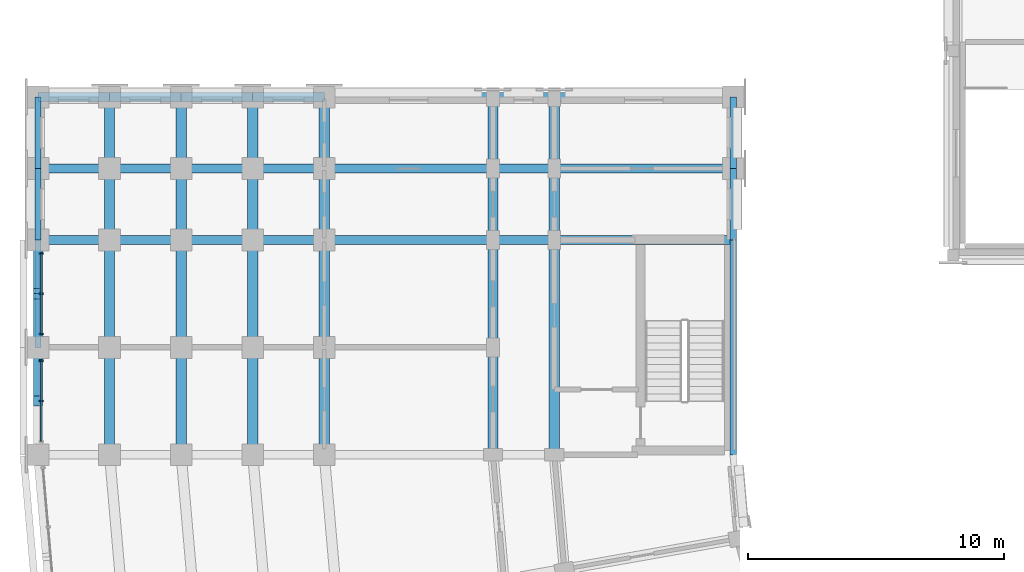
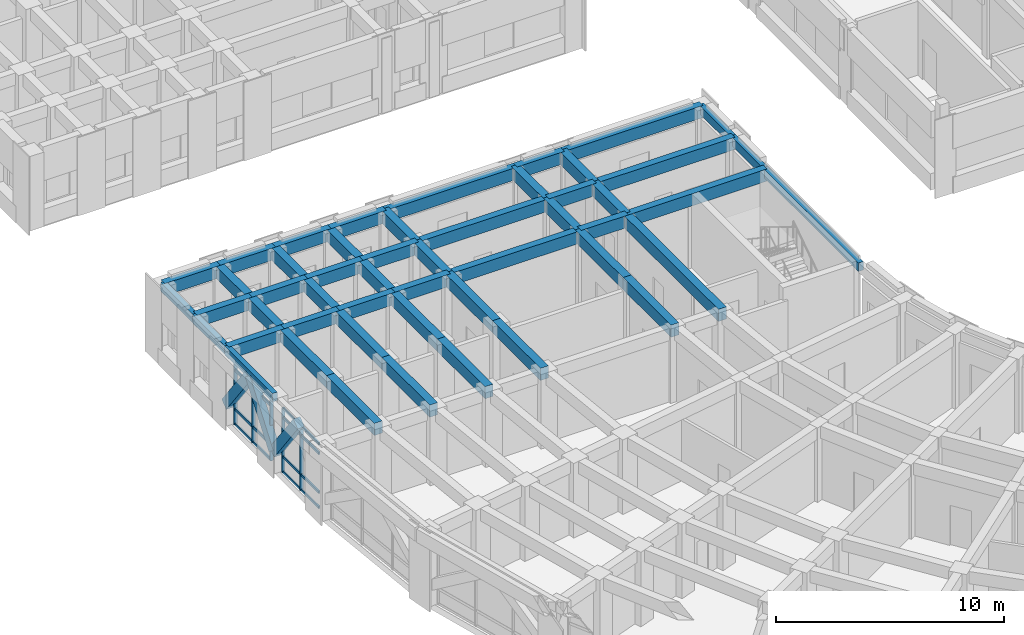
# One storey, part 13 of 97: 53 beams, 13 members, 2 elements without a shape of their own.
"""IFC4 building model written with IfcOpenShell, lengths in metres."""

from ifc_helpers import new_model, si_unit, direction, frame, origin, origin_2d, place, context, subcontext, project, spatial, rectangle, extrude, material, material_profile, profile_set, type_object, element, aggregate, save


model = new_model("IFC4")

# Units and contexts
model_context = context("Model", 3, precision=1e-05, world=origin(), true_north=direction((0.0, 1.0)))
body_context = subcontext(model_context, "Body", "Model", "MODEL_VIEW")
ifc_project = project(units=[si_unit("LENGTHUNIT", "METRE"), si_unit("AREAUNIT", "SQUARE_METRE"), si_unit("VOLUMEUNIT", "CUBIC_METRE"), si_unit("PLANEANGLEUNIT", "RADIAN"), si_unit("MASSUNIT", "GRAM", prefix="KILO")], contexts=[model_context])

# Site, building, storey
site_placement = place(None, origin())
site = spatial("IfcSite", under=ifc_project, at=site_placement, CompositionType="ELEMENT")
building_placement = place(site_placement, origin())
building = spatial("IfcBuilding", under=site, at=building_placement, Name="Kiranvali Square Residences", CompositionType="ELEMENT")
storey_placement = place(building_placement, frame((0.0, 0.0, 4.5)))
storey = spatial("IfcBuildingStorey", under=building, at=storey_placement, Name="L01", CompositionType="ELEMENT", Elevation=4.5)

# Beams
ifc_material_1 = material(Name="Concrete M40 (40 MPa)", Category="concrete")
ifc_material_profile_1 = material_profile(ifc_material_1, rectangle(XDim=0.35009765625, YDim=0.5, at=origin_2d()), Name="RC 350x500")
ifc_profile_set_1 = profile_set([ifc_material_profile_1], Name="Concrete M40 (40 MPa)")
beam_type_1 = type_object("IfcBeamType", Name="AR-M40-350x500", PredefinedType="USERDEFINED", material=ifc_profile_set_1)
for number, where, z_axis, x_axis, name in (
    (1, (2.199951171875, 50.300048828125, 3.64990234375), (0.0, 0.599545163906, -0.800340925129), (-1.0, 0.0, 0.0), "Classical pointed Ottoman arch rib ARCH-C-A2-0.2"),
    (2, (2.199951171875, 52.43994140625, 0.89990234375), (0.0, 0.599545163906, 0.800340925129), (-1.0, 0.0, 0.0), "Classical pointed Ottoman arch rib ARCH-C-A2-1.1"),
    (3, (2.199951171875, 54.5, 3.64990234375), (0.0, 0.599545163906, -0.800340925129), (-1.0, 0.0, 0.0), "Classical pointed Ottoman arch rib ARCH-C-A2-1.2"),
):
    element("IfcBeam", number, at=place(storey_placement, frame(where, z_axis=z_axis, x_axis=x_axis)), inside=storey, type_object=beam_type_1, Name=name, ObjectType="ARCH RIB", PredefinedType="USERDEFINED", context=body_context, shape_type="SweptSolid", body=[
        extrude(rectangle(XDim=0.35009765625, YDim=0.5, at=origin_2d()), origin(), (0.0, 0.0, 1.0), 3.43603515625),
    ])
ifc_material_profile_2 = material_profile(ifc_material_1, rectangle(XDim=0.35009765625, YDim=0.64990234375, at=origin_2d()), Name="RC 350x650")
ifc_profile_set_2 = profile_set([ifc_material_profile_2], Name="Concrete M40 (40 MPa)")
beam_type_2 = type_object("IfcBeamType", Name="BM-M40-350x650", PredefinedType="BEAM", material=ifc_profile_set_2)
beam_1_placement = place(storey_placement, frame((29.39990234375, 56.60009765625, 3.655029296875), z_axis=(-1.0, 0.0, 0.0), x_axis=(0.0, -1.0, 0.0)))
element("IfcBeam", 4, at=beam_1_placement, inside=storey, type_object=beam_type_2, Name="L01 beam BM-C-L01-A2T1-01", PredefinedType="BEAM", context=body_context, shape_type="SweptSolid", body=[
    extrude(rectangle(XDim=0.35009765625, YDim=0.64990234375, at=origin_2d()), origin(), (0.0, 0.0, 1.0), 7.0),
])
beam_2_placement = place(storey_placement, frame((22.39990234375, 56.60009765625, 3.655029296875), z_axis=(-1.0, 0.0, 0.0), x_axis=(0.0, -1.0, 0.0)))
element("IfcBeam", 5, at=beam_2_placement, inside=storey, type_object=beam_type_2, Name="L01 beam BM-C-L01-A2T1-12", PredefinedType="BEAM", context=body_context, shape_type="SweptSolid", body=[
    extrude(rectangle(XDim=0.35009765625, YDim=0.64990234375, at=origin_2d()), origin(), (0.0, 0.0, 1.0), 2.39990234375),
])
beam_3_placement = place(storey_placement, frame((20.0, 56.60009765625, 3.655029296875), z_axis=(-1.0, 0.0, 0.0), x_axis=(0.0, -1.0, 0.0)))
element("IfcBeam", 6, at=beam_3_placement, inside=storey, type_object=beam_type_2, Name="L01 beam BM-C-L01-A2T1-23", PredefinedType="BEAM", context=body_context, shape_type="SweptSolid", body=[
    extrude(rectangle(XDim=0.35009765625, YDim=0.64990234375, at=origin_2d()), origin(), (0.0, 0.0, 1.0), 6.60009765625),
])
beam_4_placement = place(storey_placement, frame((13.39990234375, 56.60009765625, 3.655029296875), z_axis=(-1.0, 0.0, 0.0), x_axis=(0.0, -1.0, 0.0)))
element("IfcBeam", 7, at=beam_4_placement, inside=storey, type_object=beam_type_2, Name="L01 beam BM-C-L01-A2T1-34", PredefinedType="BEAM", context=body_context, shape_type="SweptSolid", body=[
    extrude(rectangle(XDim=0.35009765625, YDim=0.64990234375, at=origin_2d()), origin(), (0.0, 0.0, 1.0), 2.7998046875),
])
for number, where, z_axis, x_axis, name in (
    (8, (10.60009765625, 56.60009765625, 3.655029296875), (-1.0, 0.0, 0.0), (0.0, -1.0, 0.0), "L01 beam BM-C-L01-A2T1-45"),
    (9, (7.800048828125, 56.60009765625, 3.655029296875), (-1.0, 0.0, 0.0), (0.0, -1.0, 0.0), "L01 beam BM-C-L01-A2T1-56"),
    (10, (5.0, 56.60009765625, 3.655029296875), (-1.0, 0.0, 0.0), (0.0, -1.0, 0.0), "L01 beam BM-C-L01-A2T1-67"),
):
    element("IfcBeam", number, at=place(storey_placement, frame(where, z_axis=z_axis, x_axis=x_axis)), inside=storey, type_object=beam_type_2, Name=name, PredefinedType="BEAM", context=body_context, shape_type="SweptSolid", body=[
        extrude(rectangle(XDim=0.35009765625, YDim=0.64990234375, at=origin_2d()), origin(), (0.0, 0.0, 1.0), 2.800048828125),
    ])
beam_5_placement = place(storey_placement, frame((29.39990234375, 59.39990234375, 3.655029296875), z_axis=(-1.0, 0.0, 0.0), x_axis=(0.0, -1.0, 0.0)))
element("IfcBeam", 11, at=beam_5_placement, inside=storey, type_object=beam_type_2, Name="L01 beam BM-C-L01-A2T2-01", PredefinedType="BEAM", context=body_context, shape_type="SweptSolid", body=[
    extrude(rectangle(XDim=0.35009765625, YDim=0.64990234375, at=origin_2d()), origin(), (0.0, 0.0, 1.0), 7.0),
])
beam_6_placement = place(storey_placement, frame((22.39990234375, 59.39990234375, 3.655029296875), z_axis=(-1.0, 0.0, 0.0), x_axis=(0.0, -1.0, 0.0)))
element("IfcBeam", 12, at=beam_6_placement, inside=storey, type_object=beam_type_2, Name="L01 beam BM-C-L01-A2T2-12", PredefinedType="BEAM", context=body_context, shape_type="SweptSolid", body=[
    extrude(rectangle(XDim=0.35009765625, YDim=0.64990234375, at=origin_2d()), origin(), (0.0, 0.0, 1.0), 2.39990234375),
])
beam_7_placement = place(storey_placement, frame((20.0, 59.39990234375, 3.655029296875), z_axis=(-1.0, 0.0, 0.0), x_axis=(0.0, -1.0, 0.0)))
element("IfcBeam", 13, at=beam_7_placement, inside=storey, type_object=beam_type_2, Name="L01 beam BM-C-L01-A2T2-23", PredefinedType="BEAM", context=body_context, shape_type="SweptSolid", body=[
    extrude(rectangle(XDim=0.35009765625, YDim=0.64990234375, at=origin_2d()), origin(), (0.0, 0.0, 1.0), 6.60009765625),
])
beam_8_placement = place(storey_placement, frame((13.39990234375, 59.39990234375, 3.655029296875), z_axis=(-1.0, 0.0, 0.0), x_axis=(0.0, -1.0, 0.0)))
element("IfcBeam", 14, at=beam_8_placement, inside=storey, type_object=beam_type_2, Name="L01 beam BM-C-L01-A2T2-34", PredefinedType="BEAM", context=body_context, shape_type="SweptSolid", body=[
    extrude(rectangle(XDim=0.35009765625, YDim=0.64990234375, at=origin_2d()), origin(), (0.0, 0.0, 1.0), 2.7998046875),
])
for number, where, z_axis, x_axis, name in (
    (15, (10.60009765625, 59.39990234375, 3.655029296875), (-1.0, 0.0, 0.0), (0.0, -1.0, 0.0), "L01 beam BM-C-L01-A2T2-45"),
    (16, (7.800048828125, 59.39990234375, 3.655029296875), (-1.0, 0.0, 0.0), (0.0, -1.0, 0.0), "L01 beam BM-C-L01-A2T2-56"),
    (17, (5.0, 59.39990234375, 3.655029296875), (-1.0, 0.0, 0.0), (0.0, -1.0, 0.0), "L01 beam BM-C-L01-A2T2-67"),
):
    element("IfcBeam", number, at=place(storey_placement, frame(where, z_axis=z_axis, x_axis=x_axis)), inside=storey, type_object=beam_type_2, Name=name, PredefinedType="BEAM", context=body_context, shape_type="SweptSolid", body=[
        extrude(rectangle(XDim=0.35009765625, YDim=0.64990234375, at=origin_2d()), origin(), (0.0, 0.0, 1.0), 2.800048828125),
    ])
beam_9_placement = place(storey_placement, frame((29.39990234375, 62.199951171875, 3.655029296875), z_axis=(-1.0, 0.0, 0.0), x_axis=(0.0, -1.0, 0.0)))
element("IfcBeam", 18, at=beam_9_placement, inside=storey, type_object=beam_type_2, Name="L01 beam BM-C-L01-A2T3-01", PredefinedType="BEAM", context=body_context, shape_type="SweptSolid", body=[
    extrude(rectangle(XDim=0.35009765625, YDim=0.64990234375, at=origin_2d()), origin(), (0.0, 0.0, 1.0), 7.0),
])
beam_10_placement = place(storey_placement, frame((22.39990234375, 62.199951171875, 3.655029296875), z_axis=(-1.0, 0.0, 0.0), x_axis=(0.0, -1.0, 0.0)))
element("IfcBeam", 19, at=beam_10_placement, inside=storey, type_object=beam_type_2, Name="L01 beam BM-C-L01-A2T3-12", PredefinedType="BEAM", context=body_context, shape_type="SweptSolid", body=[
    extrude(rectangle(XDim=0.35009765625, YDim=0.64990234375, at=origin_2d()), origin(), (0.0, 0.0, 1.0), 2.39990234375),
])
beam_11_placement = place(storey_placement, frame((20.0, 62.199951171875, 3.655029296875), z_axis=(-1.0, 0.0, 0.0), x_axis=(0.0, -1.0, 0.0)))
element("IfcBeam", 20, at=beam_11_placement, inside=storey, type_object=beam_type_2, Name="L01 beam BM-C-L01-A2T3-23", PredefinedType="BEAM", context=body_context, shape_type="SweptSolid", body=[
    extrude(rectangle(XDim=0.35009765625, YDim=0.64990234375, at=origin_2d()), origin(), (0.0, 0.0, 1.0), 6.60009765625),
])
beam_12_placement = place(storey_placement, frame((13.39990234375, 62.199951171875, 3.655029296875), z_axis=(-1.0, 0.0, 0.0), x_axis=(0.0, -1.0, 0.0)))
element("IfcBeam", 21, at=beam_12_placement, inside=storey, type_object=beam_type_2, Name="L01 beam BM-C-L01-A2T3-34", PredefinedType="BEAM", context=body_context, shape_type="SweptSolid", body=[
    extrude(rectangle(XDim=0.35009765625, YDim=0.64990234375, at=origin_2d()), origin(), (0.0, 0.0, 1.0), 2.7998046875),
])
for number, where, z_axis, x_axis, name in (
    (22, (10.60009765625, 62.199951171875, 3.655029296875), (-1.0, 0.0, 0.0), (0.0, -1.0, 0.0), "L01 beam BM-C-L01-A2T3-45"),
    (23, (7.800048828125, 62.199951171875, 3.655029296875), (-1.0, 0.0, 0.0), (0.0, -1.0, 0.0), "L01 beam BM-C-L01-A2T3-56"),
    (24, (5.0, 62.199951171875, 3.655029296875), (-1.0, 0.0, 0.0), (0.0, -1.0, 0.0), "L01 beam BM-C-L01-A2T3-67"),
):
    element("IfcBeam", number, at=place(storey_placement, frame(where, z_axis=z_axis, x_axis=x_axis)), inside=storey, type_object=beam_type_2, Name=name, PredefinedType="BEAM", context=body_context, shape_type="SweptSolid", body=[
        extrude(rectangle(XDim=0.35009765625, YDim=0.64990234375, at=origin_2d()), origin(), (0.0, 0.0, 1.0), 2.800048828125),
    ])
ifc_material_2 = material(Name="Concrete M45 (45 MPa)", Category="concrete")
ifc_material_profile_3 = material_profile(ifc_material_2, rectangle(XDim=0.39990234375, YDim=0.64990234375, at=origin_2d()), Name="RC 400x650")
ifc_profile_set_3 = profile_set([ifc_material_profile_3], Name="Concrete M45 (45 MPa)")
beam_type_3 = type_object("IfcBeamType", Name="BM-M45-400x650", PredefinedType="BEAM", material=ifc_profile_set_3)
beam_13_placement = place(storey_placement, frame((22.39990234375, 48.199951171875, 3.655029296875), z_axis=(0.0, 1.0, 0.0), x_axis=(-1.0, 0.0, 0.0)))
element("IfcBeam", 25, at=beam_13_placement, inside=storey, type_object=beam_type_3, Name="L01 beam BM-C-L01-A2V0-R1", PredefinedType="BEAM", context=body_context, shape_type="SweptSolid", body=[
    extrude(rectangle(XDim=0.39990234375, YDim=0.64990234375, at=origin_2d()), origin(), (0.0, 0.0, 1.0), 8.400146484375),
])
beam_14_placement = place(storey_placement, frame((22.39990234375, 56.60009765625, 3.655029296875), z_axis=(0.0, 1.0, 0.0), x_axis=(-1.0, 0.0, 0.0)))
element("IfcBeam", 26, at=beam_14_placement, inside=storey, type_object=beam_type_3, Name="L01 beam BM-C-L01-A2V1-R1", PredefinedType="BEAM", context=body_context, shape_type="SweptSolid", body=[
    extrude(rectangle(XDim=0.39990234375, YDim=0.64990234375, at=origin_2d()), origin(), (0.0, 0.0, 1.0), 2.7998046875),
])
beam_15_placement = place(storey_placement, frame((22.39990234375, 59.39990234375, 3.655029296875), z_axis=(0.0, 1.0, 0.0), x_axis=(-1.0, 0.0, 0.0)))
element("IfcBeam", 27, at=beam_15_placement, inside=storey, type_object=beam_type_3, Name="L01 beam BM-C-L01-A2V2-R1", PredefinedType="BEAM", context=body_context, shape_type="SweptSolid", body=[
    extrude(rectangle(XDim=0.39990234375, YDim=0.64990234375, at=origin_2d()), origin(), (0.0, 0.0, 1.0), 2.800048828125),
])
beam_16_placement = place(storey_placement, frame((20.0, 48.199951171875, 3.655029296875), z_axis=(0.0, 1.0, 0.0), x_axis=(-1.0, 0.0, 0.0)))
element("IfcBeam", 28, at=beam_16_placement, inside=storey, type_object=beam_type_3, Name="L01 beam BM-C-L01-A2V0-R2", PredefinedType="BEAM", context=body_context, shape_type="SweptSolid", body=[
    extrude(rectangle(XDim=0.39990234375, YDim=0.64990234375, at=origin_2d()), origin(), (0.0, 0.0, 1.0), 4.199951171875),
])
beam_17_placement = place(storey_placement, frame((20.0, 52.39990234375, 3.655029296875), z_axis=(0.0, 1.0, 0.0), x_axis=(-1.0, 0.0, 0.0)))
element("IfcBeam", 29, at=beam_17_placement, inside=storey, type_object=beam_type_3, Name="L01 beam BM-C-L01-A2V1-R2", PredefinedType="BEAM", context=body_context, shape_type="SweptSolid", body=[
    extrude(rectangle(XDim=0.39990234375, YDim=0.64990234375, at=origin_2d()), origin(), (0.0, 0.0, 1.0), 4.2001953125),
])
beam_18_placement = place(storey_placement, frame((20.0, 56.60009765625, 3.655029296875), z_axis=(0.0, 1.0, 0.0), x_axis=(-1.0, 0.0, 0.0)))
element("IfcBeam", 30, at=beam_18_placement, inside=storey, type_object=beam_type_3, Name="L01 beam BM-C-L01-A2V2-R2", PredefinedType="BEAM", context=body_context, shape_type="SweptSolid", body=[
    extrude(rectangle(XDim=0.39990234375, YDim=0.64990234375, at=origin_2d()), origin(), (0.0, 0.0, 1.0), 2.7998046875),
])
beam_19_placement = place(storey_placement, frame((20.0, 59.39990234375, 3.655029296875), z_axis=(0.0, 1.0, 0.0), x_axis=(-1.0, 0.0, 0.0)))
element("IfcBeam", 31, at=beam_19_placement, inside=storey, type_object=beam_type_3, Name="L01 beam BM-C-L01-A2V3-R2", PredefinedType="BEAM", context=body_context, shape_type="SweptSolid", body=[
    extrude(rectangle(XDim=0.39990234375, YDim=0.64990234375, at=origin_2d()), origin(), (0.0, 0.0, 1.0), 2.800048828125),
])
beam_20_placement = place(storey_placement, frame((13.39990234375, 48.199951171875, 3.655029296875), z_axis=(0.0, 1.0, 0.0), x_axis=(-1.0, 0.0, 0.0)))
element("IfcBeam", 32, at=beam_20_placement, inside=storey, type_object=beam_type_3, Name="L01 beam BM-C-L01-A2V0-R3", PredefinedType="BEAM", context=body_context, shape_type="SweptSolid", body=[
    extrude(rectangle(XDim=0.39990234375, YDim=0.64990234375, at=origin_2d()), origin(), (0.0, 0.0, 1.0), 4.199951171875),
])
beam_21_placement = place(storey_placement, frame((13.39990234375, 52.39990234375, 3.655029296875), z_axis=(0.0, 1.0, 0.0), x_axis=(-1.0, 0.0, 0.0)))
element("IfcBeam", 33, at=beam_21_placement, inside=storey, type_object=beam_type_3, Name="L01 beam BM-C-L01-A2V1-R3", PredefinedType="BEAM", context=body_context, shape_type="SweptSolid", body=[
    extrude(rectangle(XDim=0.39990234375, YDim=0.64990234375, at=origin_2d()), origin(), (0.0, 0.0, 1.0), 4.2001953125),
])
beam_22_placement = place(storey_placement, frame((13.39990234375, 56.60009765625, 3.655029296875), z_axis=(0.0, 1.0, 0.0), x_axis=(-1.0, 0.0, 0.0)))
element("IfcBeam", 34, at=beam_22_placement, inside=storey, type_object=beam_type_3, Name="L01 beam BM-C-L01-A2V2-R3", PredefinedType="BEAM", context=body_context, shape_type="SweptSolid", body=[
    extrude(rectangle(XDim=0.39990234375, YDim=0.64990234375, at=origin_2d()), origin(), (0.0, 0.0, 1.0), 2.7998046875),
])
beam_23_placement = place(storey_placement, frame((13.39990234375, 59.39990234375, 3.655029296875), z_axis=(0.0, 1.0, 0.0), x_axis=(-1.0, 0.0, 0.0)))
element("IfcBeam", 35, at=beam_23_placement, inside=storey, type_object=beam_type_3, Name="L01 beam BM-C-L01-A2V3-R3", PredefinedType="BEAM", context=body_context, shape_type="SweptSolid", body=[
    extrude(rectangle(XDim=0.39990234375, YDim=0.64990234375, at=origin_2d()), origin(), (0.0, 0.0, 1.0), 2.800048828125),
])
beam_24_placement = place(storey_placement, frame((10.60009765625, 48.199951171875, 3.655029296875), z_axis=(0.0, 1.0, 0.0), x_axis=(-1.0, 0.0, 0.0)))
element("IfcBeam", 36, at=beam_24_placement, inside=storey, type_object=beam_type_3, Name="L01 beam BM-C-L01-A2V0-R4", PredefinedType="BEAM", context=body_context, shape_type="SweptSolid", body=[
    extrude(rectangle(XDim=0.39990234375, YDim=0.64990234375, at=origin_2d()), origin(), (0.0, 0.0, 1.0), 4.199951171875),
])
beam_25_placement = place(storey_placement, frame((10.60009765625, 52.39990234375, 3.655029296875), z_axis=(0.0, 1.0, 0.0), x_axis=(-1.0, 0.0, 0.0)))
element("IfcBeam", 37, at=beam_25_placement, inside=storey, type_object=beam_type_3, Name="L01 beam BM-C-L01-A2V1-R4", PredefinedType="BEAM", context=body_context, shape_type="SweptSolid", body=[
    extrude(rectangle(XDim=0.39990234375, YDim=0.64990234375, at=origin_2d()), origin(), (0.0, 0.0, 1.0), 4.2001953125),
])
beam_26_placement = place(storey_placement, frame((10.60009765625, 56.60009765625, 3.655029296875), z_axis=(0.0, 1.0, 0.0), x_axis=(-1.0, 0.0, 0.0)))
element("IfcBeam", 38, at=beam_26_placement, inside=storey, type_object=beam_type_3, Name="L01 beam BM-C-L01-A2V2-R4", PredefinedType="BEAM", context=body_context, shape_type="SweptSolid", body=[
    extrude(rectangle(XDim=0.39990234375, YDim=0.64990234375, at=origin_2d()), origin(), (0.0, 0.0, 1.0), 2.7998046875),
])
beam_27_placement = place(storey_placement, frame((10.60009765625, 59.39990234375, 3.655029296875), z_axis=(0.0, 1.0, 0.0), x_axis=(-1.0, 0.0, 0.0)))
element("IfcBeam", 39, at=beam_27_placement, inside=storey, type_object=beam_type_3, Name="L01 beam BM-C-L01-A2V3-R4", PredefinedType="BEAM", context=body_context, shape_type="SweptSolid", body=[
    extrude(rectangle(XDim=0.39990234375, YDim=0.64990234375, at=origin_2d()), origin(), (0.0, 0.0, 1.0), 2.800048828125),
])
beam_28_placement = place(storey_placement, frame((7.800048828125, 48.199951171875, 3.655029296875), z_axis=(0.0, 1.0, 0.0), x_axis=(-1.0, 0.0, 0.0)))
element("IfcBeam", 40, at=beam_28_placement, inside=storey, type_object=beam_type_3, Name="L01 beam BM-C-L01-A2V0-R5", PredefinedType="BEAM", context=body_context, shape_type="SweptSolid", body=[
    extrude(rectangle(XDim=0.39990234375, YDim=0.64990234375, at=origin_2d()), origin(), (0.0, 0.0, 1.0), 4.199951171875),
])
beam_29_placement = place(storey_placement, frame((7.800048828125, 52.39990234375, 3.655029296875), z_axis=(0.0, 1.0, 0.0), x_axis=(-1.0, 0.0, 0.0)))
element("IfcBeam", 41, at=beam_29_placement, inside=storey, type_object=beam_type_3, Name="L01 beam BM-C-L01-A2V1-R5", PredefinedType="BEAM", context=body_context, shape_type="SweptSolid", body=[
    extrude(rectangle(XDim=0.39990234375, YDim=0.64990234375, at=origin_2d()), origin(), (0.0, 0.0, 1.0), 4.2001953125),
])
beam_30_placement = place(storey_placement, frame((7.800048828125, 56.60009765625, 3.655029296875), z_axis=(0.0, 1.0, 0.0), x_axis=(-1.0, 0.0, 0.0)))
element("IfcBeam", 42, at=beam_30_placement, inside=storey, type_object=beam_type_3, Name="L01 beam BM-C-L01-A2V2-R5", PredefinedType="BEAM", context=body_context, shape_type="SweptSolid", body=[
    extrude(rectangle(XDim=0.39990234375, YDim=0.64990234375, at=origin_2d()), origin(), (0.0, 0.0, 1.0), 2.7998046875),
])
beam_31_placement = place(storey_placement, frame((7.800048828125, 59.39990234375, 3.655029296875), z_axis=(0.0, 1.0, 0.0), x_axis=(-1.0, 0.0, 0.0)))
element("IfcBeam", 43, at=beam_31_placement, inside=storey, type_object=beam_type_3, Name="L01 beam BM-C-L01-A2V3-R5", PredefinedType="BEAM", context=body_context, shape_type="SweptSolid", body=[
    extrude(rectangle(XDim=0.39990234375, YDim=0.64990234375, at=origin_2d()), origin(), (0.0, 0.0, 1.0), 2.800048828125),
])
beam_32_placement = place(storey_placement, frame((5.0, 48.199951171875, 3.655029296875), z_axis=(0.0, 1.0, 0.0), x_axis=(-1.0, 0.0, 0.0)))
element("IfcBeam", 44, at=beam_32_placement, inside=storey, type_object=beam_type_3, Name="L01 beam BM-C-L01-A2V0-R6", PredefinedType="BEAM", context=body_context, shape_type="SweptSolid", body=[
    extrude(rectangle(XDim=0.39990234375, YDim=0.64990234375, at=origin_2d()), origin(), (0.0, 0.0, 1.0), 4.199951171875),
])
beam_33_placement = place(storey_placement, frame((5.0, 52.39990234375, 3.655029296875), z_axis=(0.0, 1.0, 0.0), x_axis=(-1.0, 0.0, 0.0)))
element("IfcBeam", 45, at=beam_33_placement, inside=storey, type_object=beam_type_3, Name="L01 beam BM-C-L01-A2V1-R6", PredefinedType="BEAM", context=body_context, shape_type="SweptSolid", body=[
    extrude(rectangle(XDim=0.39990234375, YDim=0.64990234375, at=origin_2d()), origin(), (0.0, 0.0, 1.0), 4.2001953125),
])
beam_34_placement = place(storey_placement, frame((5.0, 56.60009765625, 3.655029296875), z_axis=(0.0, 1.0, 0.0), x_axis=(-1.0, 0.0, 0.0)))
element("IfcBeam", 46, at=beam_34_placement, inside=storey, type_object=beam_type_3, Name="L01 beam BM-C-L01-A2V2-R6", PredefinedType="BEAM", context=body_context, shape_type="SweptSolid", body=[
    extrude(rectangle(XDim=0.39990234375, YDim=0.64990234375, at=origin_2d()), origin(), (0.0, 0.0, 1.0), 2.7998046875),
])
beam_35_placement = place(storey_placement, frame((5.0, 59.39990234375, 3.655029296875), z_axis=(0.0, 1.0, 0.0), x_axis=(-1.0, 0.0, 0.0)))
element("IfcBeam", 47, at=beam_35_placement, inside=storey, type_object=beam_type_3, Name="L01 beam BM-C-L01-A2V3-R6", PredefinedType="BEAM", context=body_context, shape_type="SweptSolid", body=[
    extrude(rectangle(XDim=0.39990234375, YDim=0.64990234375, at=origin_2d()), origin(), (0.0, 0.0, 1.0), 2.800048828125),
])

# Curtain wall, members
ifc_material_3 = material(Name="Anodised bronze aluminium framing", Category="aluminium")
curtain_wall_type = type_object("IfcCurtainWallType", Name="CW-RET-SHOP", PredefinedType="USERDEFINED", material=ifc_material_3)
curtain_wall_1_placement = place(storey_placement, origin())
curtain_wall_1 = element("IfcCurtainWall", 48, at=curtain_wall_1_placement, inside=storey, type_object=curtain_wall_type, Name="L01 curtain wall CW-C-L01-A2-0", ObjectType="CURTAIN WALL", PredefinedType="USERDEFINED")
ifc_material_profile_4 = material_profile(ifc_material_3, rectangle(XDim=0.06494140625, YDim=0.159912109375, at=origin_2d()), Name="ALU 65x160")
ifc_profile_set_4 = profile_set([ifc_material_profile_4], Name="Anodised bronze aluminium framing")
member_type_1 = type_object("IfcMemberType", Name="CW-MUL-160", PredefinedType="MULLION", material=ifc_profile_set_4)
member_1_placement = place(storey_placement, frame((2.320068359375, 50.300048828125, 0.02001953125), z_axis=(0.0, 0.0, 1.0), x_axis=(0.0, 1.0, 0.0)))
member_1 = element("IfcMember", 49, at=member_1_placement, type_object=member_type_1, Name="CW-C-L01-A2-0 vertical mullion 2", PredefinedType="MULLION", context=body_context, shape_type="SweptSolid", body=[
    extrude(rectangle(XDim=0.06494140625, YDim=0.159912109375, at=origin_2d()), origin(), (0.0, 0.0, 1.0), 3.43994140625),
])
member_2_placement = place(storey_placement, frame((2.320068359375, 51.8798828125, 0.02001953125), z_axis=(0.0, 0.0, 1.0), x_axis=(0.0, 1.0, 0.0)))
member_2 = element("IfcMember", 50, at=member_2_placement, type_object=member_type_1, Name="CW-C-L01-A2-0 vertical mullion 3", PredefinedType="MULLION", context=body_context, shape_type="SweptSolid", body=[
    extrude(rectangle(XDim=0.06494140625, YDim=0.159912109375, at=origin_2d()), origin(), (0.0, 0.0, 1.0), 3.43994140625),
])

curtain_wall_2_placement = place(storey_placement, origin())
curtain_wall_2 = element("IfcCurtainWall", 51, at=curtain_wall_2_placement, inside=storey, type_object=curtain_wall_type, Name="L01 curtain wall CW-C-L01-A2-1", ObjectType="CURTAIN WALL", PredefinedType="USERDEFINED")
member_3_placement = place(storey_placement, frame((2.320068359375, 52.919921875, 0.02001953125), z_axis=(0.0, 0.0, 1.0), x_axis=(0.0, 1.0, 0.0)))
member_3 = element("IfcMember", 52, at=member_3_placement, type_object=member_type_1, Name="CW-C-L01-A2-1 vertical mullion 1", PredefinedType="MULLION", context=body_context, shape_type="SweptSolid", body=[
    extrude(rectangle(XDim=0.06494140625, YDim=0.159912109375, at=origin_2d()), origin(), (0.0, 0.0, 1.0), 3.43994140625),
])
member_4_placement = place(storey_placement, frame((2.320068359375, 54.5, 0.02001953125), z_axis=(0.0, 0.0, 1.0), x_axis=(0.0, 1.0, 0.0)))
member_4 = element("IfcMember", 53, at=member_4_placement, type_object=member_type_1, Name="CW-C-L01-A2-1 vertical mullion 2", PredefinedType="MULLION", context=body_context, shape_type="SweptSolid", body=[
    extrude(rectangle(XDim=0.06494140625, YDim=0.159912109375, at=origin_2d()), origin(), (0.0, 0.0, 1.0), 3.43994140625),
])
member_5_placement = place(storey_placement, frame((2.320068359375, 56.080078125, 0.02001953125), z_axis=(0.0, 0.0, 1.0), x_axis=(0.0, 1.0, 0.0)))
member_5 = element("IfcMember", 54, at=member_5_placement, type_object=member_type_1, Name="CW-C-L01-A2-1 vertical mullion 3", PredefinedType="MULLION", context=body_context, shape_type="SweptSolid", body=[
    extrude(rectangle(XDim=0.06494140625, YDim=0.159912109375, at=origin_2d()), origin(), (0.0, 0.0, 1.0), 3.43994140625),
])

# Member
ifc_material_profile_5 = material_profile(ifc_material_3, rectangle(XDim=0.06494140625, YDim=0.139892578125, at=origin_2d()), Name="ALU 65x140")
ifc_profile_set_5 = profile_set([ifc_material_profile_5], Name="Anodised bronze aluminium framing")
member_type_2 = type_object("IfcMemberType", Name="CW-TRN-140", PredefinedType="MULLION", material=ifc_profile_set_5)
member_6_placement = place(storey_placement, frame((2.320068359375, 48.72998046875, 0.0400390625), z_axis=(0.0, 1.0, 0.0), x_axis=(-1.0, 0.0, 0.0)))
member_6 = element("IfcMember", 55, at=member_6_placement, type_object=member_type_2, Name="CW-C-L01-A2-0 horizontal transom 1", PredefinedType="MULLION", context=body_context, shape_type="SweptSolid", body=[
    extrude(rectangle(XDim=0.06494140625, YDim=0.139892578125, at=origin_2d()), origin(), (0.0, 0.0, 1.0), 3.14013671875),
])

member_7_placement = place(storey_placement, frame((2.320068359375, 48.72998046875, 0.85009765625), z_axis=(0.0, 1.0, 0.0), x_axis=(-1.0, 0.0, 0.0)))
member_7 = element("IfcMember", 56, at=member_7_placement, type_object=member_type_2, Name="CW-C-L01-A2-0 horizontal transom 2", PredefinedType="MULLION", context=body_context, shape_type="SweptSolid", body=[
    extrude(rectangle(XDim=0.06494140625, YDim=0.139892578125, at=origin_2d()), origin(), (0.0, 0.0, 1.0), 3.14013671875),
])

member_8_placement = place(storey_placement, frame((2.320068359375, 48.72998046875, 2.929931640625), z_axis=(0.0, 1.0, 0.0), x_axis=(-1.0, 0.0, 0.0)))
member_8 = element("IfcMember", 57, at=member_8_placement, type_object=member_type_2, Name="CW-C-L01-A2-0 horizontal transom 3", PredefinedType="MULLION", context=body_context, shape_type="SweptSolid", body=[
    extrude(rectangle(XDim=0.06494140625, YDim=0.139892578125, at=origin_2d()), origin(), (0.0, 0.0, 1.0), 3.14013671875),
])

member_9_placement = place(storey_placement, frame((2.320068359375, 48.72998046875, 3.43994140625), z_axis=(0.0, 1.0, 0.0), x_axis=(-1.0, 0.0, 0.0)))
member_9 = element("IfcMember", 58, at=member_9_placement, type_object=member_type_2, Name="CW-C-L01-A2-0 horizontal transom 4", PredefinedType="MULLION", context=body_context, shape_type="SweptSolid", body=[
    extrude(rectangle(XDim=0.06494140625, YDim=0.139892578125, at=origin_2d()), origin(), (0.0, 0.0, 1.0), 3.14013671875),
])

aggregate(curtain_wall_1, [member_1, member_2, member_6, member_7, member_8, member_9])

member_10_placement = place(storey_placement, frame((2.320068359375, 52.929931640625, 0.0400390625), z_axis=(0.0, 1.0, 0.0), x_axis=(-1.0, 0.0, 0.0)))
member_10 = element("IfcMember", 59, at=member_10_placement, type_object=member_type_2, Name="CW-C-L01-A2-1 horizontal transom 1", PredefinedType="MULLION", context=body_context, shape_type="SweptSolid", body=[
    extrude(rectangle(XDim=0.06494140625, YDim=0.139892578125, at=origin_2d()), origin(), (0.0, 0.0, 1.0), 3.14013671875),
])

member_11_placement = place(storey_placement, frame((2.320068359375, 52.929931640625, 0.85009765625), z_axis=(0.0, 1.0, 0.0), x_axis=(-1.0, 0.0, 0.0)))
member_11 = element("IfcMember", 60, at=member_11_placement, type_object=member_type_2, Name="CW-C-L01-A2-1 horizontal transom 2", PredefinedType="MULLION", context=body_context, shape_type="SweptSolid", body=[
    extrude(rectangle(XDim=0.06494140625, YDim=0.139892578125, at=origin_2d()), origin(), (0.0, 0.0, 1.0), 3.14013671875),
])

member_12_placement = place(storey_placement, frame((2.320068359375, 52.929931640625, 2.929931640625), z_axis=(0.0, 1.0, 0.0), x_axis=(-1.0, 0.0, 0.0)))
member_12 = element("IfcMember", 61, at=member_12_placement, type_object=member_type_2, Name="CW-C-L01-A2-1 horizontal transom 3", PredefinedType="MULLION", context=body_context, shape_type="SweptSolid", body=[
    extrude(rectangle(XDim=0.06494140625, YDim=0.139892578125, at=origin_2d()), origin(), (0.0, 0.0, 1.0), 3.14013671875),
])

member_13_placement = place(storey_placement, frame((2.320068359375, 52.929931640625, 3.43994140625), z_axis=(0.0, 1.0, 0.0), x_axis=(-1.0, 0.0, 0.0)))
member_13 = element("IfcMember", 62, at=member_13_placement, type_object=member_type_2, Name="CW-C-L01-A2-1 horizontal transom 4", PredefinedType="MULLION", context=body_context, shape_type="SweptSolid", body=[
    extrude(rectangle(XDim=0.06494140625, YDim=0.139892578125, at=origin_2d()), origin(), (0.0, 0.0, 1.0), 3.14013671875),
])

aggregate(curtain_wall_2, [member_3, member_4, member_5, member_10, member_11, member_12, member_13])

# Beams
ifc_material_profile_6 = material_profile(ifc_material_1, rectangle(XDim=0.25, YDim=0.449951171875, at=origin_2d()), Name="RC 250x450")
ifc_profile_set_6 = profile_set([ifc_material_profile_6], Name="Concrete M40 (40 MPa)")
beam_type_4 = type_object("IfcBeamType", Name="SPN-M40-250x450", PredefinedType="SPANDREL", material=ifc_profile_set_6)
beam_36_placement = place(storey_placement, frame((29.39990234375, 48.199951171875, 3.7548828125), z_axis=(0.0, 1.0, 0.0), x_axis=(-1.0, 0.0, 0.0)))
element("IfcBeam", 63, at=beam_36_placement, inside=storey, type_object=beam_type_4, Name="L01 beam BM-C-L01-A2V0-R0", PredefinedType="SPANDREL", context=body_context, shape_type="SweptSolid", body=[
    extrude(rectangle(XDim=0.25, YDim=0.449951171875, at=origin_2d()), origin(), (0.0, 0.0, 1.0), 8.400146484375),
])
beam_37_placement = place(storey_placement, frame((29.39990234375, 56.60009765625, 3.7548828125), z_axis=(0.0, 1.0, 0.0), x_axis=(-1.0, 0.0, 0.0)))
element("IfcBeam", 64, at=beam_37_placement, inside=storey, type_object=beam_type_4, Name="L01 beam BM-C-L01-A2V1-R0", PredefinedType="SPANDREL", context=body_context, shape_type="SweptSolid", body=[
    extrude(rectangle(XDim=0.25, YDim=0.449951171875, at=origin_2d()), origin(), (0.0, 0.0, 1.0), 2.7998046875),
])
beam_38_placement = place(storey_placement, frame((29.39990234375, 59.39990234375, 3.7548828125), z_axis=(0.0, 1.0, 0.0), x_axis=(-1.0, 0.0, 0.0)))
element("IfcBeam", 65, at=beam_38_placement, inside=storey, type_object=beam_type_4, Name="L01 beam BM-C-L01-A2V2-R0", PredefinedType="SPANDREL", context=body_context, shape_type="SweptSolid", body=[
    extrude(rectangle(XDim=0.25, YDim=0.449951171875, at=origin_2d()), origin(), (0.0, 0.0, 1.0), 2.800048828125),
])
beam_39_placement = place(storey_placement, frame((2.199951171875, 52.39990234375, 3.7548828125), z_axis=(0.0, 1.0, 0.0), x_axis=(-1.0, 0.0, 0.0)))
element("IfcBeam", 66, at=beam_39_placement, inside=storey, type_object=beam_type_4, Name="L01 beam BM-C-L01-A2V1-R7", PredefinedType="SPANDREL", context=body_context, shape_type="SweptSolid", body=[
    extrude(rectangle(XDim=0.25, YDim=0.449951171875, at=origin_2d()), origin(), (0.0, 0.0, 1.0), 4.2001953125),
])
beam_40_placement = place(storey_placement, frame((2.199951171875, 56.60009765625, 3.7548828125), z_axis=(0.0, 1.0, 0.0), x_axis=(-1.0, 0.0, 0.0)))
element("IfcBeam", 67, at=beam_40_placement, inside=storey, type_object=beam_type_4, Name="L01 beam BM-C-L01-A2V2-R7", PredefinedType="SPANDREL", context=body_context, shape_type="SweptSolid", body=[
    extrude(rectangle(XDim=0.25, YDim=0.449951171875, at=origin_2d()), origin(), (0.0, 0.0, 1.0), 2.7998046875),
])
beam_41_placement = place(storey_placement, frame((2.199951171875, 59.39990234375, 3.7548828125), z_axis=(0.0, 1.0, 0.0), x_axis=(-1.0, 0.0, 0.0)))
element("IfcBeam", 68, at=beam_41_placement, inside=storey, type_object=beam_type_4, Name="L01 beam BM-C-L01-A2V3-R7", PredefinedType="SPANDREL", context=body_context, shape_type="SweptSolid", body=[
    extrude(rectangle(XDim=0.25, YDim=0.449951171875, at=origin_2d()), origin(), (0.0, 0.0, 1.0), 2.800048828125),
])

save(model, "model.ifc")
